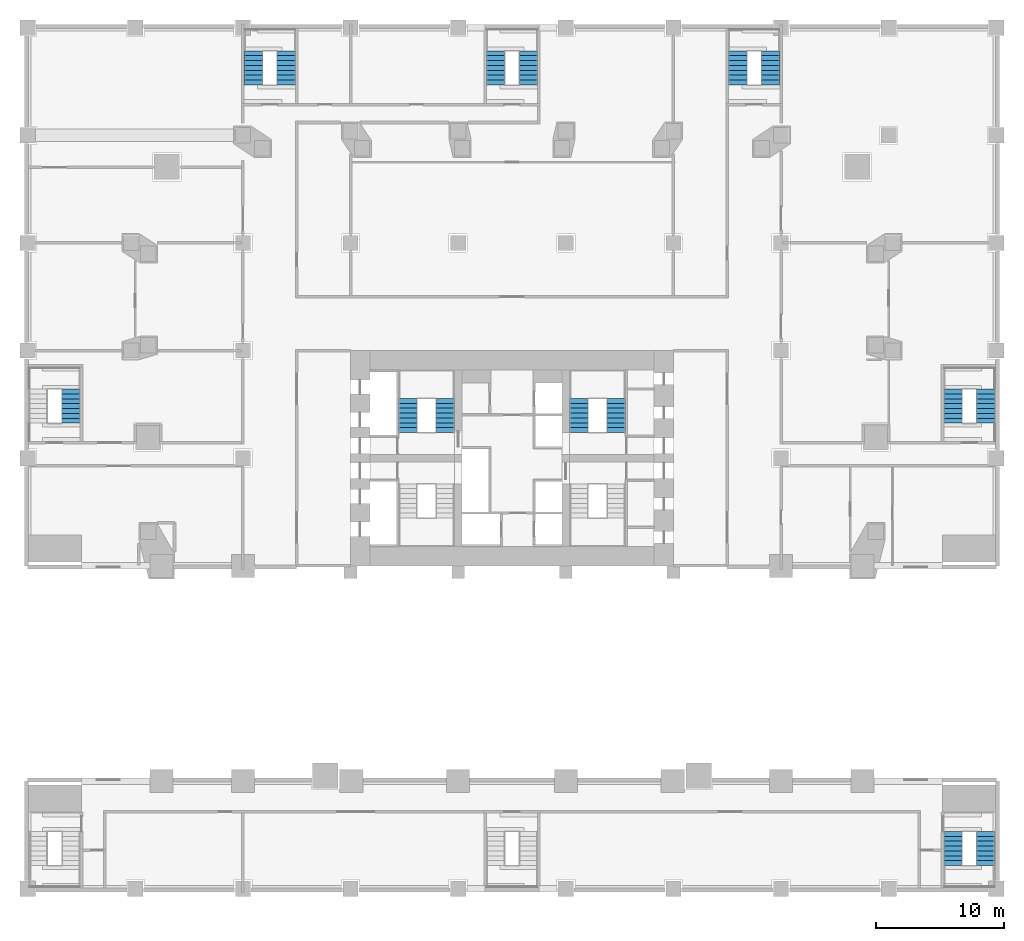
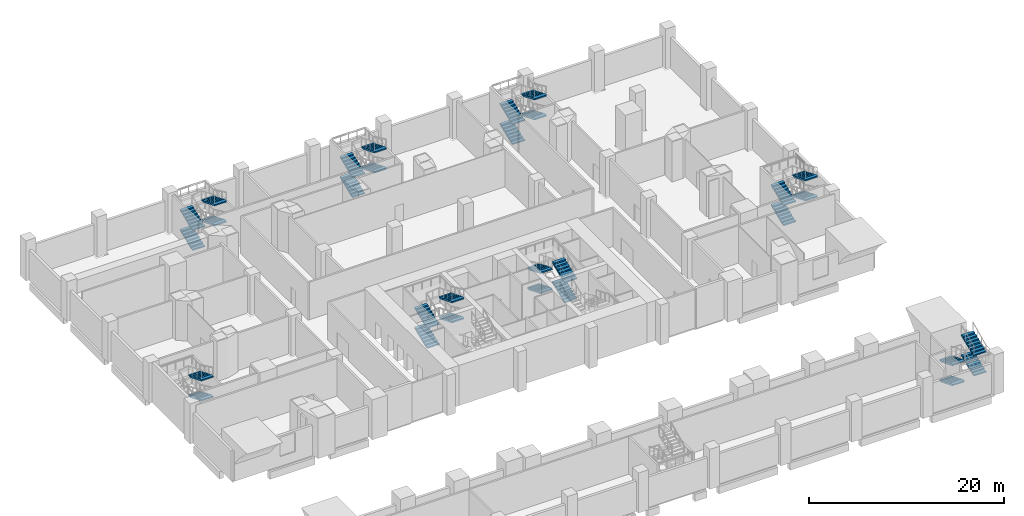
# One storey, part 10 of 16: 30 stair flights, 8 elements without a shape of their own.
"""IFC4 building model written with IfcOpenShell, lengths in metres."""

from ifc_helpers import new_model, si_unit, direction, frame, origin, place, context, subcontext, project, spatial, polyline, outline, extrude, material, type_object, element, aggregate, save


model = new_model("IFC4")

# Units and contexts
model_context = context("Model", 3, precision=1e-05, world=origin(), true_north=direction((0.0, 1.0)))
body_context = subcontext(model_context, "Body", "Model", "MODEL_VIEW")
ifc_project = project(units=[si_unit("LENGTHUNIT", "METRE"), si_unit("AREAUNIT", "SQUARE_METRE"), si_unit("VOLUMEUNIT", "CUBIC_METRE"), si_unit("PLANEANGLEUNIT", "RADIAN"), si_unit("MASSUNIT", "GRAM", prefix="KILO")], contexts=[model_context])

# Site, building, storey
site_placement = place(None, origin())
site = spatial("IfcSite", under=ifc_project, at=site_placement, CompositionType="ELEMENT")
building_placement = place(site_placement, origin())
building = spatial("IfcBuilding", under=site, at=building_placement, Name="Marenta Gate Hotel Tower", CompositionType="ELEMENT")
storey_placement = place(building_placement, frame((0.0, 0.0, 21.0)))
storey = spatial("IfcBuildingStorey", under=building, at=storey_placement, Name="L03", CompositionType="ELEMENT", Elevation=21.0)

# Stair, stair flights
ifc_material_1 = material(Name="Concrete C40", Category="concrete")
stair_type_1 = type_object("IfcStairType", Name="Core exit stair 1430 wide", PredefinedType="HALF_TURN_STAIR", material=ifc_material_1)
stair_1_placement = place(storey_placement, origin())
stair_1 = element("IfcStair", 1, at=stair_1_placement, inside=storey, type_object=stair_type_1, Name="Exit stair 2", PredefinedType="HALF_TURN_STAIR")
ifc_material_2 = material(Name="Concrete C40", Category="concrete")
stair_flight_type_1 = type_object("IfcStairFlightType", Name="Core stair flight 1430 riser 156.2 going 380", PredefinedType="STRAIGHT", material=ifc_material_2)
stair_flight_1_placement = place(storey_placement, frame((-8.135009765625, 10.39990234375, 0.0), z_axis=(0.0, 0.0, 1.0), x_axis=(0.0, 1.0, 0.0)))
stair_flight_1 = element("IfcStairFlight", 2, at=stair_flight_1_placement, type_object=stair_flight_type_1, Name="ST2 flight 1", NumberOfRisers=8, NumberOfTreads=7, PredefinedType="STRAIGHT", RiserHeight=0.15625, TreadLength=0.38, context=body_context, shape_type="SweptSolid", body=[
    extrude(outline(polyline([(0.0, 0.0), (0.0, 0.15625), (0.3798828125, 0.15625), (0.3798828125, 0.3125), (0.760009765625, 0.3125), (0.760009765625, 0.46875), (1.139892578125, 0.46875), (1.139892578125, 0.625), (1.52001953125, 0.625), (1.52001953125, 0.78125), (1.89990234375, 0.78125), (1.89990234375, 0.9375), (2.280029296875, 0.9375), (2.280029296875, 1.09375), (2.659912109375, 1.09375), (2.659912109375, 1.25), (2.659912109375, 0.931640625), (0.394287109375, 0.0), (0.0, 0.0)])), frame((0.0, 0.71484375, 0.0), z_axis=(0.0, -1.0, 0.0), x_axis=(1.0, 0.0, 0.0)), (0.0, 0.0, 1.0), 1.429931640625),
])
stair_flight_2_placement = place(storey_placement, frame((-5.215087890625, 13.06005859375, 1.25), z_axis=(0.0, 0.0, 1.0), x_axis=(0.0, -1.0, 0.0)))
stair_flight_2 = element("IfcStairFlight", 3, at=stair_flight_2_placement, type_object=stair_flight_type_1, Name="ST2 flight 2", NumberOfRisers=8, NumberOfTreads=7, PredefinedType="STRAIGHT", RiserHeight=0.15625, TreadLength=0.38, context=body_context, shape_type="SweptSolid", body=[
    extrude(outline(polyline([(0.0, 0.0), (0.0, 0.15625), (0.3798828125, 0.15625), (0.3798828125, 0.3125), (0.760009765625, 0.3125), (0.760009765625, 0.46875), (1.139892578125, 0.46875), (1.139892578125, 0.625), (1.52001953125, 0.625), (1.52001953125, 0.78125), (1.89990234375, 0.78125), (1.89990234375, 0.9375), (2.280029296875, 0.9375), (2.280029296875, 1.09375), (2.659912109375, 1.09375), (2.659912109375, 1.25), (2.659912109375, 0.931640625), (0.394287109375, 0.0), (0.0, 0.0)])), frame((0.0, 0.71484375, 0.0), z_axis=(0.0, -1.0, 0.0), x_axis=(1.0, 0.0, 0.0)), (0.0, 0.0, 1.0), 1.429931640625),
])
stair_flight_3_placement = place(storey_placement, frame((-8.135009765625, 10.39990234375, 2.5), z_axis=(0.0, 0.0, 1.0), x_axis=(0.0, 1.0, 0.0)))
stair_flight_3 = element("IfcStairFlight", 4, at=stair_flight_3_placement, type_object=stair_flight_type_1, Name="ST2 flight 3", NumberOfRisers=8, NumberOfTreads=7, PredefinedType="STRAIGHT", RiserHeight=0.15625, TreadLength=0.38, context=body_context, shape_type="SweptSolid", body=[
    extrude(outline(polyline([(0.0, 0.0), (0.0, 0.15625), (0.3798828125, 0.15625), (0.3798828125, 0.3125), (0.760009765625, 0.3125), (0.760009765625, 0.46875), (1.139892578125, 0.46875), (1.139892578125, 0.625), (1.52001953125, 0.625), (1.52001953125, 0.78125), (1.89990234375, 0.78125), (1.89990234375, 0.9375), (2.280029296875, 0.9375), (2.280029296875, 1.09375), (2.659912109375, 1.09375), (2.659912109375, 1.25), (2.659912109375, 0.931640625), (0.394287109375, 0.0), (0.0, 0.0)])), frame((0.0, 0.71484375, 0.0), z_axis=(0.0, -1.0, 0.0), x_axis=(1.0, 0.0, 0.0)), (0.0, 0.0, 1.0), 1.429931640625),
])
stair_flight_4_placement = place(storey_placement, frame((-5.215087890625, 13.06005859375, 3.75), z_axis=(0.0, 0.0, 1.0), x_axis=(0.0, -1.0, 0.0)))
stair_flight_4 = element("IfcStairFlight", 5, at=stair_flight_4_placement, type_object=stair_flight_type_1, Name="ST2 flight 4", NumberOfRisers=8, NumberOfTreads=7, PredefinedType="STRAIGHT", RiserHeight=0.15625, TreadLength=0.38, context=body_context, shape_type="SweptSolid", body=[
    extrude(outline(polyline([(0.0, 0.0), (0.0, 0.15625), (0.3798828125, 0.15625), (0.3798828125, 0.3125), (0.760009765625, 0.3125), (0.760009765625, 0.46875), (1.139892578125, 0.46875), (1.139892578125, 0.625), (1.52001953125, 0.625), (1.52001953125, 0.78125), (1.89990234375, 0.78125), (1.89990234375, 0.9375), (2.280029296875, 0.9375), (2.280029296875, 1.09375), (2.659912109375, 1.09375), (2.659912109375, 1.25), (2.659912109375, 0.931640625), (0.394287109375, 0.0), (0.0, 0.0)])), frame((0.0, 0.71484375, 0.0), z_axis=(0.0, -1.0, 0.0), x_axis=(1.0, 0.0, 0.0)), (0.0, 0.0, 1.0), 1.429931640625),
])
aggregate(stair_1, [stair_flight_1, stair_flight_2, stair_flight_3, stair_flight_4])

stair_2_placement = place(storey_placement, origin())
stair_2 = element("IfcStair", 6, at=stair_2_placement, inside=storey, type_object=stair_type_1, Name="Exit stair 4", PredefinedType="HALF_TURN_STAIR")
stair_flight_5_placement = place(storey_placement, frame((8.135009765625, 10.39990234375, 0.0), z_axis=(0.0, 0.0, 1.0), x_axis=(0.0, 1.0, 0.0)))
stair_flight_5 = element("IfcStairFlight", 7, at=stair_flight_5_placement, type_object=stair_flight_type_1, Name="ST4 flight 1", NumberOfRisers=8, NumberOfTreads=7, PredefinedType="STRAIGHT", RiserHeight=0.15625, TreadLength=0.38, context=body_context, shape_type="SweptSolid", body=[
    extrude(outline(polyline([(0.0, 0.0), (0.0, 0.15625), (0.3798828125, 0.15625), (0.3798828125, 0.3125), (0.760009765625, 0.3125), (0.760009765625, 0.46875), (1.139892578125, 0.46875), (1.139892578125, 0.625), (1.52001953125, 0.625), (1.52001953125, 0.78125), (1.89990234375, 0.78125), (1.89990234375, 0.9375), (2.280029296875, 0.9375), (2.280029296875, 1.09375), (2.659912109375, 1.09375), (2.659912109375, 1.25), (2.659912109375, 0.931640625), (0.394287109375, 0.0), (0.0, 0.0)])), frame((0.0, 0.71484375, 0.0), z_axis=(0.0, -1.0, 0.0), x_axis=(1.0, 0.0, 0.0)), (0.0, 0.0, 1.0), 1.429931640625),
])
stair_flight_6_placement = place(storey_placement, frame((5.215087890625, 13.06005859375, 1.25), z_axis=(0.0, 0.0, 1.0), x_axis=(0.0, -1.0, 0.0)))
stair_flight_6 = element("IfcStairFlight", 8, at=stair_flight_6_placement, type_object=stair_flight_type_1, Name="ST4 flight 2", NumberOfRisers=8, NumberOfTreads=7, PredefinedType="STRAIGHT", RiserHeight=0.15625, TreadLength=0.38, context=body_context, shape_type="SweptSolid", body=[
    extrude(outline(polyline([(0.0, 0.0), (0.0, 0.15625), (0.3798828125, 0.15625), (0.3798828125, 0.3125), (0.760009765625, 0.3125), (0.760009765625, 0.46875), (1.139892578125, 0.46875), (1.139892578125, 0.625), (1.52001953125, 0.625), (1.52001953125, 0.78125), (1.89990234375, 0.78125), (1.89990234375, 0.9375), (2.280029296875, 0.9375), (2.280029296875, 1.09375), (2.659912109375, 1.09375), (2.659912109375, 1.25), (2.659912109375, 0.931640625), (0.394287109375, 0.0), (0.0, 0.0)])), frame((0.0, 0.71484375, 0.0), z_axis=(0.0, -1.0, 0.0), x_axis=(1.0, 0.0, 0.0)), (0.0, 0.0, 1.0), 1.429931640625),
])
stair_flight_7_placement = place(storey_placement, frame((8.135009765625, 10.39990234375, 2.5), z_axis=(0.0, 0.0, 1.0), x_axis=(0.0, 1.0, 0.0)))
stair_flight_7 = element("IfcStairFlight", 9, at=stair_flight_7_placement, type_object=stair_flight_type_1, Name="ST4 flight 3", NumberOfRisers=8, NumberOfTreads=7, PredefinedType="STRAIGHT", RiserHeight=0.15625, TreadLength=0.38, context=body_context, shape_type="SweptSolid", body=[
    extrude(outline(polyline([(0.0, 0.0), (0.0, 0.15625), (0.3798828125, 0.15625), (0.3798828125, 0.3125), (0.760009765625, 0.3125), (0.760009765625, 0.46875), (1.139892578125, 0.46875), (1.139892578125, 0.625), (1.52001953125, 0.625), (1.52001953125, 0.78125), (1.89990234375, 0.78125), (1.89990234375, 0.9375), (2.280029296875, 0.9375), (2.280029296875, 1.09375), (2.659912109375, 1.09375), (2.659912109375, 1.25), (2.659912109375, 0.931640625), (0.394287109375, 0.0), (0.0, 0.0)])), frame((0.0, 0.71484375, 0.0), z_axis=(0.0, -1.0, 0.0), x_axis=(1.0, 0.0, 0.0)), (0.0, 0.0, 1.0), 1.429931640625),
])
stair_flight_8_placement = place(storey_placement, frame((5.215087890625, 13.06005859375, 3.75), z_axis=(0.0, 0.0, 1.0), x_axis=(0.0, -1.0, 0.0)))
stair_flight_8 = element("IfcStairFlight", 10, at=stair_flight_8_placement, type_object=stair_flight_type_1, Name="ST4 flight 4", NumberOfRisers=8, NumberOfTreads=7, PredefinedType="STRAIGHT", RiserHeight=0.15625, TreadLength=0.38, context=body_context, shape_type="SweptSolid", body=[
    extrude(outline(polyline([(0.0, 0.0), (0.0, 0.15625), (0.3798828125, 0.15625), (0.3798828125, 0.3125), (0.760009765625, 0.3125), (0.760009765625, 0.46875), (1.139892578125, 0.46875), (1.139892578125, 0.625), (1.52001953125, 0.625), (1.52001953125, 0.78125), (1.89990234375, 0.78125), (1.89990234375, 0.9375), (2.280029296875, 0.9375), (2.280029296875, 1.09375), (2.659912109375, 1.09375), (2.659912109375, 1.25), (2.659912109375, 0.931640625), (0.394287109375, 0.0), (0.0, 0.0)])), frame((0.0, 0.71484375, 0.0), z_axis=(0.0, -1.0, 0.0), x_axis=(1.0, 0.0, 0.0)), (0.0, 0.0, 1.0), 1.429931640625),
])
aggregate(stair_2, [stair_flight_5, stair_flight_6, stair_flight_7, stair_flight_8])

ifc_material_3 = material(Name="Concrete C40", Category="concrete")
stair_type_2 = type_object("IfcStairType", Name="Podium exit stair 1430 wide", PredefinedType="HALF_TURN_STAIR", material=ifc_material_3)
stair_3_placement = place(storey_placement, origin())
stair_3 = element("IfcStair", 11, at=stair_3_placement, inside=storey, type_object=stair_type_2, Name="Podium exit stair 2", PredefinedType="HALF_TURN_STAIR")
ifc_material_4 = material(Name="Concrete C40", Category="concrete")
stair_flight_type_2 = type_object("IfcStairFlightType", Name="Podium stair flight 1430 riser 156.2 going 380", PredefinedType="STRAIGHT", material=ifc_material_4)
stair_flight_9_placement = place(storey_placement, frame((34.4150390625, -20.72998046875, 0.0), z_axis=(0.0, 0.0, 1.0), x_axis=(0.0, -1.0, 0.0)))
stair_flight_9 = element("IfcStairFlight", 12, at=stair_flight_9_placement, type_object=stair_flight_type_2, Name="PX2 flight 1", NumberOfRisers=8, NumberOfTreads=7, PredefinedType="STRAIGHT", RiserHeight=0.15625, TreadLength=0.38, context=body_context, shape_type="SweptSolid", body=[
    extrude(outline(polyline([(0.0, 0.0), (0.0, 0.15625), (0.3798828125, 0.15625), (0.3798828125, 0.3125), (0.760009765625, 0.3125), (0.760009765625, 0.46875), (1.139892578125, 0.46875), (1.139892578125, 0.625), (1.52001953125, 0.625), (1.52001953125, 0.78125), (1.89990234375, 0.78125), (1.89990234375, 0.9375), (2.280029296875, 0.9375), (2.280029296875, 1.09375), (2.659912109375, 1.09375), (2.659912109375, 1.25), (2.659912109375, 0.931640625), (0.394287109375, 0.0), (0.0, 0.0)])), frame((0.0, 0.71484375, 0.0), z_axis=(0.0, -1.0, 0.0), x_axis=(1.0, 0.0, 0.0)), (0.0, 0.0, 1.0), 1.429931640625),
])
stair_flight_10_placement = place(storey_placement, frame((36.985107421875, -23.389892578125, 1.25), z_axis=(0.0, 0.0, 1.0), x_axis=(0.0, 1.0, 0.0)))
stair_flight_10 = element("IfcStairFlight", 13, at=stair_flight_10_placement, type_object=stair_flight_type_2, Name="PX2 flight 2", NumberOfRisers=8, NumberOfTreads=7, PredefinedType="STRAIGHT", RiserHeight=0.15625, TreadLength=0.38, context=body_context, shape_type="SweptSolid", body=[
    extrude(outline(polyline([(0.0, 0.0), (0.0, 0.15625), (0.3798828125, 0.15625), (0.3798828125, 0.3125), (0.760009765625, 0.3125), (0.760009765625, 0.46875), (1.139892578125, 0.46875), (1.139892578125, 0.625), (1.52001953125, 0.625), (1.52001953125, 0.78125), (1.89990234375, 0.78125), (1.89990234375, 0.9375), (2.280029296875, 0.9375), (2.280029296875, 1.09375), (2.659912109375, 1.09375), (2.659912109375, 1.25), (2.659912109375, 0.931640625), (0.394287109375, 0.0), (0.0, 0.0)])), frame((0.0, 0.71484375, 0.0), z_axis=(0.0, -1.0, 0.0), x_axis=(1.0, 0.0, 0.0)), (0.0, 0.0, 1.0), 1.429931640625),
])
stair_flight_11_placement = place(storey_placement, frame((34.4150390625, -20.72998046875, 2.5), z_axis=(0.0, 0.0, 1.0), x_axis=(0.0, -1.0, 0.0)))
stair_flight_11 = element("IfcStairFlight", 14, at=stair_flight_11_placement, type_object=stair_flight_type_2, Name="PX2 flight 3", NumberOfRisers=8, NumberOfTreads=7, PredefinedType="STRAIGHT", RiserHeight=0.15625, TreadLength=0.38, context=body_context, shape_type="SweptSolid", body=[
    extrude(outline(polyline([(0.0, 0.0), (0.0, 0.15625), (0.3798828125, 0.15625), (0.3798828125, 0.3125), (0.760009765625, 0.3125), (0.760009765625, 0.46875), (1.139892578125, 0.46875), (1.139892578125, 0.625), (1.52001953125, 0.625), (1.52001953125, 0.78125), (1.89990234375, 0.78125), (1.89990234375, 0.9375), (2.280029296875, 0.9375), (2.280029296875, 1.09375), (2.659912109375, 1.09375), (2.659912109375, 1.25), (2.659912109375, 0.931640625), (0.394287109375, 0.0), (0.0, 0.0)])), frame((0.0, 0.71484375, 0.0), z_axis=(0.0, -1.0, 0.0), x_axis=(1.0, 0.0, 0.0)), (0.0, 0.0, 1.0), 1.429931640625),
])
stair_flight_12_placement = place(storey_placement, frame((36.985107421875, -23.389892578125, 3.75), z_axis=(0.0, 0.0, 1.0), x_axis=(0.0, 1.0, 0.0)))
stair_flight_12 = element("IfcStairFlight", 15, at=stair_flight_12_placement, type_object=stair_flight_type_2, Name="PX2 flight 4", NumberOfRisers=8, NumberOfTreads=7, PredefinedType="STRAIGHT", RiserHeight=0.15625, TreadLength=0.38, context=body_context, shape_type="SweptSolid", body=[
    extrude(outline(polyline([(0.0, 0.0), (0.0, 0.15625), (0.3798828125, 0.15625), (0.3798828125, 0.3125), (0.760009765625, 0.3125), (0.760009765625, 0.46875), (1.139892578125, 0.46875), (1.139892578125, 0.625), (1.52001953125, 0.625), (1.52001953125, 0.78125), (1.89990234375, 0.78125), (1.89990234375, 0.9375), (2.280029296875, 0.9375), (2.280029296875, 1.09375), (2.659912109375, 1.09375), (2.659912109375, 1.25), (2.659912109375, 0.931640625), (0.394287109375, 0.0), (0.0, 0.0)])), frame((0.0, 0.71484375, 0.0), z_axis=(0.0, -1.0, 0.0), x_axis=(1.0, 0.0, 0.0)), (0.0, 0.0, 1.0), 1.429931640625),
])
aggregate(stair_3, [stair_flight_9, stair_flight_10, stair_flight_11, stair_flight_12])

stair_4_placement = place(storey_placement, origin())
stair_4 = element("IfcStair", 16, at=stair_4_placement, inside=storey, type_object=stair_type_2, Name="Podium exit stair 3", PredefinedType="HALF_TURN_STAIR")
stair_flight_13_placement = place(storey_placement, frame((-20.18505859375, 37.530029296875, 0.0), z_axis=(0.0, 0.0, 1.0), x_axis=(0.0, 1.0, 0.0)))
stair_flight_13 = element("IfcStairFlight", 17, at=stair_flight_13_placement, type_object=stair_flight_type_2, Name="PX3 flight 1", NumberOfRisers=8, NumberOfTreads=7, PredefinedType="STRAIGHT", RiserHeight=0.15625, TreadLength=0.38, context=body_context, shape_type="SweptSolid", body=[
    extrude(outline(polyline([(0.0, 0.0), (0.0, 0.15625), (0.3798828125, 0.15625), (0.3798828125, 0.3125), (0.760009765625, 0.3125), (0.760009765625, 0.46875), (1.139892578125, 0.46875), (1.139892578125, 0.625), (1.52001953125, 0.625), (1.52001953125, 0.78125), (1.89990234375, 0.78125), (1.89990234375, 0.9375), (2.280029296875, 0.9375), (2.280029296875, 1.09375), (2.659912109375, 1.09375), (2.659912109375, 1.25), (2.659912109375, 0.931640625), (0.394287109375, 0.0), (0.0, 0.0)])), frame((0.0, 0.71484375, 0.0), z_axis=(0.0, -1.0, 0.0), x_axis=(1.0, 0.0, 0.0)), (0.0, 0.0, 1.0), 1.429931640625),
])
stair_flight_14_placement = place(storey_placement, frame((-17.614990234375, 40.18994140625, 1.25), z_axis=(0.0, 0.0, 1.0), x_axis=(0.0, -1.0, 0.0)))
stair_flight_14 = element("IfcStairFlight", 18, at=stair_flight_14_placement, type_object=stair_flight_type_2, Name="PX3 flight 2", NumberOfRisers=8, NumberOfTreads=7, PredefinedType="STRAIGHT", RiserHeight=0.15625, TreadLength=0.38, context=body_context, shape_type="SweptSolid", body=[
    extrude(outline(polyline([(0.0, 0.0), (0.0, 0.15625), (0.3798828125, 0.15625), (0.3798828125, 0.3125), (0.760009765625, 0.3125), (0.760009765625, 0.46875), (1.139892578125, 0.46875), (1.139892578125, 0.625), (1.52001953125, 0.625), (1.52001953125, 0.78125), (1.89990234375, 0.78125), (1.89990234375, 0.9375), (2.280029296875, 0.9375), (2.280029296875, 1.09375), (2.659912109375, 1.09375), (2.659912109375, 1.25), (2.659912109375, 0.931640625), (0.394287109375, 0.0), (0.0, 0.0)])), frame((0.0, 0.71484375, 0.0), z_axis=(0.0, -1.0, 0.0), x_axis=(1.0, 0.0, 0.0)), (0.0, 0.0, 1.0), 1.429931640625),
])
stair_flight_15_placement = place(storey_placement, frame((-20.18505859375, 37.530029296875, 2.5), z_axis=(0.0, 0.0, 1.0), x_axis=(0.0, 1.0, 0.0)))
stair_flight_15 = element("IfcStairFlight", 19, at=stair_flight_15_placement, type_object=stair_flight_type_2, Name="PX3 flight 3", NumberOfRisers=8, NumberOfTreads=7, PredefinedType="STRAIGHT", RiserHeight=0.15625, TreadLength=0.38, context=body_context, shape_type="SweptSolid", body=[
    extrude(outline(polyline([(0.0, 0.0), (0.0, 0.15625), (0.3798828125, 0.15625), (0.3798828125, 0.3125), (0.760009765625, 0.3125), (0.760009765625, 0.46875), (1.139892578125, 0.46875), (1.139892578125, 0.625), (1.52001953125, 0.625), (1.52001953125, 0.78125), (1.89990234375, 0.78125), (1.89990234375, 0.9375), (2.280029296875, 0.9375), (2.280029296875, 1.09375), (2.659912109375, 1.09375), (2.659912109375, 1.25), (2.659912109375, 0.931640625), (0.394287109375, 0.0), (0.0, 0.0)])), frame((0.0, 0.71484375, 0.0), z_axis=(0.0, -1.0, 0.0), x_axis=(1.0, 0.0, 0.0)), (0.0, 0.0, 1.0), 1.429931640625),
])
stair_flight_16_placement = place(storey_placement, frame((-17.614990234375, 40.18994140625, 3.75), z_axis=(0.0, 0.0, 1.0), x_axis=(0.0, -1.0, 0.0)))
stair_flight_16 = element("IfcStairFlight", 20, at=stair_flight_16_placement, type_object=stair_flight_type_2, Name="PX3 flight 4", NumberOfRisers=8, NumberOfTreads=7, PredefinedType="STRAIGHT", RiserHeight=0.15625, TreadLength=0.38, context=body_context, shape_type="SweptSolid", body=[
    extrude(outline(polyline([(0.0, 0.0), (0.0, 0.15625), (0.3798828125, 0.15625), (0.3798828125, 0.3125), (0.760009765625, 0.3125), (0.760009765625, 0.46875), (1.139892578125, 0.46875), (1.139892578125, 0.625), (1.52001953125, 0.625), (1.52001953125, 0.78125), (1.89990234375, 0.78125), (1.89990234375, 0.9375), (2.280029296875, 0.9375), (2.280029296875, 1.09375), (2.659912109375, 1.09375), (2.659912109375, 1.25), (2.659912109375, 0.931640625), (0.394287109375, 0.0), (0.0, 0.0)])), frame((0.0, 0.71484375, 0.0), z_axis=(0.0, -1.0, 0.0), x_axis=(1.0, 0.0, 0.0)), (0.0, 0.0, 1.0), 1.429931640625),
])
aggregate(stair_4, [stair_flight_13, stair_flight_14, stair_flight_15, stair_flight_16])

stair_5_placement = place(storey_placement, origin())
stair_5 = element("IfcStair", 21, at=stair_5_placement, inside=storey, type_object=stair_type_2, Name="Podium exit stair 4", PredefinedType="HALF_TURN_STAIR")
stair_flight_17_placement = place(storey_placement, frame((17.614990234375, 37.530029296875, 0.0), z_axis=(0.0, 0.0, 1.0), x_axis=(0.0, 1.0, 0.0)))
stair_flight_17 = element("IfcStairFlight", 22, at=stair_flight_17_placement, type_object=stair_flight_type_2, Name="PX4 flight 1", NumberOfRisers=8, NumberOfTreads=7, PredefinedType="STRAIGHT", RiserHeight=0.15625, TreadLength=0.38, context=body_context, shape_type="SweptSolid", body=[
    extrude(outline(polyline([(0.0, 0.0), (0.0, 0.15625), (0.3798828125, 0.15625), (0.3798828125, 0.3125), (0.760009765625, 0.3125), (0.760009765625, 0.46875), (1.139892578125, 0.46875), (1.139892578125, 0.625), (1.52001953125, 0.625), (1.52001953125, 0.78125), (1.89990234375, 0.78125), (1.89990234375, 0.9375), (2.280029296875, 0.9375), (2.280029296875, 1.09375), (2.659912109375, 1.09375), (2.659912109375, 1.25), (2.659912109375, 0.931640625), (0.394287109375, 0.0), (0.0, 0.0)])), frame((0.0, 0.71484375, 0.0), z_axis=(0.0, -1.0, 0.0), x_axis=(1.0, 0.0, 0.0)), (0.0, 0.0, 1.0), 1.429931640625),
])
stair_flight_18_placement = place(storey_placement, frame((20.18505859375, 40.18994140625, 1.25), z_axis=(0.0, 0.0, 1.0), x_axis=(0.0, -1.0, 0.0)))
stair_flight_18 = element("IfcStairFlight", 23, at=stair_flight_18_placement, type_object=stair_flight_type_2, Name="PX4 flight 2", NumberOfRisers=8, NumberOfTreads=7, PredefinedType="STRAIGHT", RiserHeight=0.15625, TreadLength=0.38, context=body_context, shape_type="SweptSolid", body=[
    extrude(outline(polyline([(0.0, 0.0), (0.0, 0.15625), (0.3798828125, 0.15625), (0.3798828125, 0.3125), (0.760009765625, 0.3125), (0.760009765625, 0.46875), (1.139892578125, 0.46875), (1.139892578125, 0.625), (1.52001953125, 0.625), (1.52001953125, 0.78125), (1.89990234375, 0.78125), (1.89990234375, 0.9375), (2.280029296875, 0.9375), (2.280029296875, 1.09375), (2.659912109375, 1.09375), (2.659912109375, 1.25), (2.659912109375, 0.931640625), (0.394287109375, 0.0), (0.0, 0.0)])), frame((0.0, 0.71484375, 0.0), z_axis=(0.0, -1.0, 0.0), x_axis=(1.0, 0.0, 0.0)), (0.0, 0.0, 1.0), 1.429931640625),
])
stair_flight_19_placement = place(storey_placement, frame((17.614990234375, 37.530029296875, 2.5), z_axis=(0.0, 0.0, 1.0), x_axis=(0.0, 1.0, 0.0)))
stair_flight_19 = element("IfcStairFlight", 24, at=stair_flight_19_placement, type_object=stair_flight_type_2, Name="PX4 flight 3", NumberOfRisers=8, NumberOfTreads=7, PredefinedType="STRAIGHT", RiserHeight=0.15625, TreadLength=0.38, context=body_context, shape_type="SweptSolid", body=[
    extrude(outline(polyline([(0.0, 0.0), (0.0, 0.15625), (0.3798828125, 0.15625), (0.3798828125, 0.3125), (0.760009765625, 0.3125), (0.760009765625, 0.46875), (1.139892578125, 0.46875), (1.139892578125, 0.625), (1.52001953125, 0.625), (1.52001953125, 0.78125), (1.89990234375, 0.78125), (1.89990234375, 0.9375), (2.280029296875, 0.9375), (2.280029296875, 1.09375), (2.659912109375, 1.09375), (2.659912109375, 1.25), (2.659912109375, 0.931640625), (0.394287109375, 0.0), (0.0, 0.0)])), frame((0.0, 0.71484375, 0.0), z_axis=(0.0, -1.0, 0.0), x_axis=(1.0, 0.0, 0.0)), (0.0, 0.0, 1.0), 1.429931640625),
])
stair_flight_20_placement = place(storey_placement, frame((20.18505859375, 40.18994140625, 3.75), z_axis=(0.0, 0.0, 1.0), x_axis=(0.0, -1.0, 0.0)))
stair_flight_20 = element("IfcStairFlight", 25, at=stair_flight_20_placement, type_object=stair_flight_type_2, Name="PX4 flight 4", NumberOfRisers=8, NumberOfTreads=7, PredefinedType="STRAIGHT", RiserHeight=0.15625, TreadLength=0.38, context=body_context, shape_type="SweptSolid", body=[
    extrude(outline(polyline([(0.0, 0.0), (0.0, 0.15625), (0.3798828125, 0.15625), (0.3798828125, 0.3125), (0.760009765625, 0.3125), (0.760009765625, 0.46875), (1.139892578125, 0.46875), (1.139892578125, 0.625), (1.52001953125, 0.625), (1.52001953125, 0.78125), (1.89990234375, 0.78125), (1.89990234375, 0.9375), (2.280029296875, 0.9375), (2.280029296875, 1.09375), (2.659912109375, 1.09375), (2.659912109375, 1.25), (2.659912109375, 0.931640625), (0.394287109375, 0.0), (0.0, 0.0)])), frame((0.0, 0.71484375, 0.0), z_axis=(0.0, -1.0, 0.0), x_axis=(1.0, 0.0, 0.0)), (0.0, 0.0, 1.0), 1.429931640625),
])
aggregate(stair_5, [stair_flight_17, stair_flight_18, stair_flight_19, stair_flight_20])

stair_6_placement = place(storey_placement, origin())
stair_6 = element("IfcStair", 26, at=stair_6_placement, inside=storey, type_object=stair_type_2, Name="Podium exit stair 6", PredefinedType="HALF_TURN_STAIR")
stair_flight_21_placement = place(storey_placement, frame((-34.4150390625, 13.7900390625, 1.25), z_axis=(0.0, 0.0, 1.0), x_axis=(0.0, -1.0, 0.0)))
stair_flight_21 = element("IfcStairFlight", 27, at=stair_flight_21_placement, type_object=stair_flight_type_2, Name="PX6 flight 2", NumberOfRisers=8, NumberOfTreads=7, PredefinedType="STRAIGHT", RiserHeight=0.15625, TreadLength=0.38, context=body_context, shape_type="SweptSolid", body=[
    extrude(outline(polyline([(0.0, 0.0), (0.0, 0.15625), (0.3798828125, 0.15625), (0.3798828125, 0.3125), (0.760009765625, 0.3125), (0.760009765625, 0.46875), (1.139892578125, 0.46875), (1.139892578125, 0.625), (1.52001953125, 0.625), (1.52001953125, 0.78125), (1.89990234375, 0.78125), (1.89990234375, 0.9375), (2.280029296875, 0.9375), (2.280029296875, 1.09375), (2.659912109375, 1.09375), (2.659912109375, 1.25), (2.659912109375, 0.931640625), (0.394287109375, 0.0), (0.0, 0.0)])), frame((0.0, 0.71484375, 0.0), z_axis=(0.0, -1.0, 0.0), x_axis=(1.0, 0.0, 0.0)), (0.0, 0.0, 1.0), 1.429931640625),
])
stair_flight_22_placement = place(storey_placement, frame((-34.4150390625, 13.7900390625, 3.75), z_axis=(0.0, 0.0, 1.0), x_axis=(0.0, -1.0, 0.0)))
stair_flight_22 = element("IfcStairFlight", 28, at=stair_flight_22_placement, type_object=stair_flight_type_2, Name="PX6 flight 4", NumberOfRisers=8, NumberOfTreads=7, PredefinedType="STRAIGHT", RiserHeight=0.15625, TreadLength=0.38, context=body_context, shape_type="SweptSolid", body=[
    extrude(outline(polyline([(0.0, 0.0), (0.0, 0.15625), (0.3798828125, 0.15625), (0.3798828125, 0.3125), (0.760009765625, 0.3125), (0.760009765625, 0.46875), (1.139892578125, 0.46875), (1.139892578125, 0.625), (1.52001953125, 0.625), (1.52001953125, 0.78125), (1.89990234375, 0.78125), (1.89990234375, 0.9375), (2.280029296875, 0.9375), (2.280029296875, 1.09375), (2.659912109375, 1.09375), (2.659912109375, 1.25), (2.659912109375, 0.931640625), (0.394287109375, 0.0), (0.0, 0.0)])), frame((0.0, 0.71484375, 0.0), z_axis=(0.0, -1.0, 0.0), x_axis=(1.0, 0.0, 0.0)), (0.0, 0.0, 1.0), 1.429931640625),
])
aggregate(stair_6, [stair_flight_21, stair_flight_22])

stair_7_placement = place(storey_placement, origin())
stair_7 = element("IfcStair", 29, at=stair_7_placement, inside=storey, type_object=stair_type_2, Name="Podium exit stair 7", PredefinedType="HALF_TURN_STAIR")
stair_flight_23_placement = place(storey_placement, frame((34.4150390625, 11.1298828125, 0.0), z_axis=(0.0, 0.0, 1.0), x_axis=(0.0, 1.0, 0.0)))
stair_flight_23 = element("IfcStairFlight", 30, at=stair_flight_23_placement, type_object=stair_flight_type_2, Name="PX7 flight 1", NumberOfRisers=8, NumberOfTreads=7, PredefinedType="STRAIGHT", RiserHeight=0.15625, TreadLength=0.38, context=body_context, shape_type="SweptSolid", body=[
    extrude(outline(polyline([(0.0, 0.0), (0.0, 0.15625), (0.3798828125, 0.15625), (0.3798828125, 0.3125), (0.760009765625, 0.3125), (0.760009765625, 0.46875), (1.139892578125, 0.46875), (1.139892578125, 0.625), (1.52001953125, 0.625), (1.52001953125, 0.78125), (1.89990234375, 0.78125), (1.89990234375, 0.9375), (2.280029296875, 0.9375), (2.280029296875, 1.09375), (2.659912109375, 1.09375), (2.659912109375, 1.25), (2.659912109375, 0.931640625), (0.394287109375, 0.0), (0.0, 0.0)])), frame((0.0, 0.71484375, 0.0), z_axis=(0.0, -1.0, 0.0), x_axis=(1.0, 0.0, 0.0)), (0.0, 0.0, 1.0), 1.429931640625),
])
stair_flight_24_placement = place(storey_placement, frame((36.985107421875, 13.7900390625, 1.25), z_axis=(0.0, 0.0, 1.0), x_axis=(0.0, -1.0, 0.0)))
stair_flight_24 = element("IfcStairFlight", 31, at=stair_flight_24_placement, type_object=stair_flight_type_2, Name="PX7 flight 2", NumberOfRisers=8, NumberOfTreads=7, PredefinedType="STRAIGHT", RiserHeight=0.15625, TreadLength=0.38, context=body_context, shape_type="SweptSolid", body=[
    extrude(outline(polyline([(0.0, 0.0), (0.0, 0.15625), (0.3798828125, 0.15625), (0.3798828125, 0.3125), (0.760009765625, 0.3125), (0.760009765625, 0.46875), (1.139892578125, 0.46875), (1.139892578125, 0.625), (1.52001953125, 0.625), (1.52001953125, 0.78125), (1.89990234375, 0.78125), (1.89990234375, 0.9375), (2.280029296875, 0.9375), (2.280029296875, 1.09375), (2.659912109375, 1.09375), (2.659912109375, 1.25), (2.659912109375, 0.931640625), (0.394287109375, 0.0), (0.0, 0.0)])), frame((0.0, 0.71484375, 0.0), z_axis=(0.0, -1.0, 0.0), x_axis=(1.0, 0.0, 0.0)), (0.0, 0.0, 1.0), 1.429931640625),
])
stair_flight_25_placement = place(storey_placement, frame((34.4150390625, 11.1298828125, 2.5), z_axis=(0.0, 0.0, 1.0), x_axis=(0.0, 1.0, 0.0)))
stair_flight_25 = element("IfcStairFlight", 32, at=stair_flight_25_placement, type_object=stair_flight_type_2, Name="PX7 flight 3", NumberOfRisers=8, NumberOfTreads=7, PredefinedType="STRAIGHT", RiserHeight=0.15625, TreadLength=0.38, context=body_context, shape_type="SweptSolid", body=[
    extrude(outline(polyline([(0.0, 0.0), (0.0, 0.15625), (0.3798828125, 0.15625), (0.3798828125, 0.3125), (0.760009765625, 0.3125), (0.760009765625, 0.46875), (1.139892578125, 0.46875), (1.139892578125, 0.625), (1.52001953125, 0.625), (1.52001953125, 0.78125), (1.89990234375, 0.78125), (1.89990234375, 0.9375), (2.280029296875, 0.9375), (2.280029296875, 1.09375), (2.659912109375, 1.09375), (2.659912109375, 1.25), (2.659912109375, 0.931640625), (0.394287109375, 0.0), (0.0, 0.0)])), frame((0.0, 0.71484375, 0.0), z_axis=(0.0, -1.0, 0.0), x_axis=(1.0, 0.0, 0.0)), (0.0, 0.0, 1.0), 1.429931640625),
])
stair_flight_26_placement = place(storey_placement, frame((36.985107421875, 13.7900390625, 3.75), z_axis=(0.0, 0.0, 1.0), x_axis=(0.0, -1.0, 0.0)))
stair_flight_26 = element("IfcStairFlight", 33, at=stair_flight_26_placement, type_object=stair_flight_type_2, Name="PX7 flight 4", NumberOfRisers=8, NumberOfTreads=7, PredefinedType="STRAIGHT", RiserHeight=0.15625, TreadLength=0.38, context=body_context, shape_type="SweptSolid", body=[
    extrude(outline(polyline([(0.0, 0.0), (0.0, 0.15625), (0.3798828125, 0.15625), (0.3798828125, 0.3125), (0.760009765625, 0.3125), (0.760009765625, 0.46875), (1.139892578125, 0.46875), (1.139892578125, 0.625), (1.52001953125, 0.625), (1.52001953125, 0.78125), (1.89990234375, 0.78125), (1.89990234375, 0.9375), (2.280029296875, 0.9375), (2.280029296875, 1.09375), (2.659912109375, 1.09375), (2.659912109375, 1.25), (2.659912109375, 0.931640625), (0.394287109375, 0.0), (0.0, 0.0)])), frame((0.0, 0.71484375, 0.0), z_axis=(0.0, -1.0, 0.0), x_axis=(1.0, 0.0, 0.0)), (0.0, 0.0, 1.0), 1.429931640625),
])
aggregate(stair_7, [stair_flight_23, stair_flight_24, stair_flight_25, stair_flight_26])

stair_8_placement = place(storey_placement, origin())
stair_8 = element("IfcStair", 34, at=stair_8_placement, inside=storey, type_object=stair_type_2, Name="Podium exit stair 8", PredefinedType="HALF_TURN_STAIR")
stair_flight_27_placement = place(storey_placement, frame((-1.284912109375, 37.530029296875, 0.0), z_axis=(0.0, 0.0, 1.0), x_axis=(0.0, 1.0, 0.0)))
stair_flight_27 = element("IfcStairFlight", 35, at=stair_flight_27_placement, type_object=stair_flight_type_2, Name="PX8 flight 1", NumberOfRisers=8, NumberOfTreads=7, PredefinedType="STRAIGHT", RiserHeight=0.15625, TreadLength=0.38, context=body_context, shape_type="SweptSolid", body=[
    extrude(outline(polyline([(0.0, 0.0), (0.0, 0.15625), (0.3798828125, 0.15625), (0.3798828125, 0.3125), (0.760009765625, 0.3125), (0.760009765625, 0.46875), (1.139892578125, 0.46875), (1.139892578125, 0.625), (1.52001953125, 0.625), (1.52001953125, 0.78125), (1.89990234375, 0.78125), (1.89990234375, 0.9375), (2.280029296875, 0.9375), (2.280029296875, 1.09375), (2.659912109375, 1.09375), (2.659912109375, 1.25), (2.659912109375, 0.931640625), (0.394287109375, 0.0), (0.0, 0.0)])), frame((0.0, 0.71484375, 0.0), z_axis=(0.0, -1.0, 0.0), x_axis=(1.0, 0.0, 0.0)), (0.0, 0.0, 1.0), 1.429931640625),
])
stair_flight_28_placement = place(storey_placement, frame((1.284912109375, 40.18994140625, 1.25), z_axis=(0.0, 0.0, 1.0), x_axis=(0.0, -1.0, 0.0)))
stair_flight_28 = element("IfcStairFlight", 36, at=stair_flight_28_placement, type_object=stair_flight_type_2, Name="PX8 flight 2", NumberOfRisers=8, NumberOfTreads=7, PredefinedType="STRAIGHT", RiserHeight=0.15625, TreadLength=0.38, context=body_context, shape_type="SweptSolid", body=[
    extrude(outline(polyline([(0.0, 0.0), (0.0, 0.15625), (0.3798828125, 0.15625), (0.3798828125, 0.3125), (0.760009765625, 0.3125), (0.760009765625, 0.46875), (1.139892578125, 0.46875), (1.139892578125, 0.625), (1.52001953125, 0.625), (1.52001953125, 0.78125), (1.89990234375, 0.78125), (1.89990234375, 0.9375), (2.280029296875, 0.9375), (2.280029296875, 1.09375), (2.659912109375, 1.09375), (2.659912109375, 1.25), (2.659912109375, 0.931640625), (0.394287109375, 0.0), (0.0, 0.0)])), frame((0.0, 0.71484375, 0.0), z_axis=(0.0, -1.0, 0.0), x_axis=(1.0, 0.0, 0.0)), (0.0, 0.0, 1.0), 1.429931640625),
])
stair_flight_29_placement = place(storey_placement, frame((-1.284912109375, 37.530029296875, 2.5), z_axis=(0.0, 0.0, 1.0), x_axis=(0.0, 1.0, 0.0)))
stair_flight_29 = element("IfcStairFlight", 37, at=stair_flight_29_placement, type_object=stair_flight_type_2, Name="PX8 flight 3", NumberOfRisers=8, NumberOfTreads=7, PredefinedType="STRAIGHT", RiserHeight=0.15625, TreadLength=0.38, context=body_context, shape_type="SweptSolid", body=[
    extrude(outline(polyline([(0.0, 0.0), (0.0, 0.15625), (0.3798828125, 0.15625), (0.3798828125, 0.3125), (0.760009765625, 0.3125), (0.760009765625, 0.46875), (1.139892578125, 0.46875), (1.139892578125, 0.625), (1.52001953125, 0.625), (1.52001953125, 0.78125), (1.89990234375, 0.78125), (1.89990234375, 0.9375), (2.280029296875, 0.9375), (2.280029296875, 1.09375), (2.659912109375, 1.09375), (2.659912109375, 1.25), (2.659912109375, 0.931640625), (0.394287109375, 0.0), (0.0, 0.0)])), frame((0.0, 0.71484375, 0.0), z_axis=(0.0, -1.0, 0.0), x_axis=(1.0, 0.0, 0.0)), (0.0, 0.0, 1.0), 1.429931640625),
])
stair_flight_30_placement = place(storey_placement, frame((1.284912109375, 40.18994140625, 3.75), z_axis=(0.0, 0.0, 1.0), x_axis=(0.0, -1.0, 0.0)))
stair_flight_30 = element("IfcStairFlight", 38, at=stair_flight_30_placement, type_object=stair_flight_type_2, Name="PX8 flight 4", NumberOfRisers=8, NumberOfTreads=7, PredefinedType="STRAIGHT", RiserHeight=0.15625, TreadLength=0.38, context=body_context, shape_type="SweptSolid", body=[
    extrude(outline(polyline([(0.0, 0.0), (0.0, 0.15625), (0.3798828125, 0.15625), (0.3798828125, 0.3125), (0.760009765625, 0.3125), (0.760009765625, 0.46875), (1.139892578125, 0.46875), (1.139892578125, 0.625), (1.52001953125, 0.625), (1.52001953125, 0.78125), (1.89990234375, 0.78125), (1.89990234375, 0.9375), (2.280029296875, 0.9375), (2.280029296875, 1.09375), (2.659912109375, 1.09375), (2.659912109375, 1.25), (2.659912109375, 0.931640625), (0.394287109375, 0.0), (0.0, 0.0)])), frame((0.0, 0.71484375, 0.0), z_axis=(0.0, -1.0, 0.0), x_axis=(1.0, 0.0, 0.0)), (0.0, 0.0, 1.0), 1.429931640625),
])
aggregate(stair_8, [stair_flight_27, stair_flight_28, stair_flight_29, stair_flight_30])

save(model, "model.ifc")
